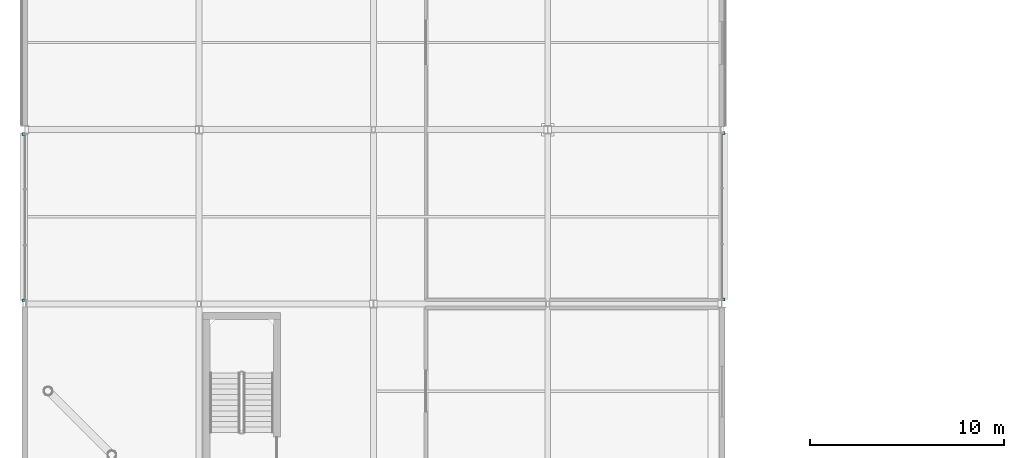
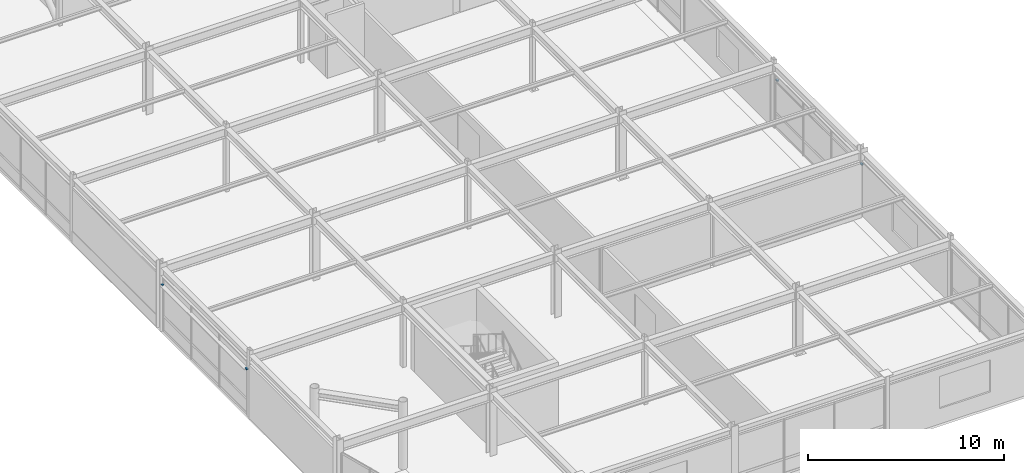
# One storey, part 81 of 105: 4 discrete accessories.
"""IFC4 building model written with IfcOpenShell, lengths in metres."""

from ifc_helpers import new_model, si_unit, direction, frame, origin, origin_2d, place, context, subcontext, project, spatial, rectangle, extrude, material, type_object, element, save


model = new_model("IFC4")

# Units and contexts
model_context = context("Model", 3, precision=1e-05, world=origin(), true_north=direction((0.0, 1.0)))
body_context = subcontext(model_context, "Body", "Model", "MODEL_VIEW")
ifc_project = project(units=[si_unit("LENGTHUNIT", "METRE"), si_unit("AREAUNIT", "SQUARE_METRE"), si_unit("VOLUMEUNIT", "CUBIC_METRE"), si_unit("PLANEANGLEUNIT", "RADIAN"), si_unit("MASSUNIT", "GRAM", prefix="KILO")], contexts=[model_context])

# Site, building, storey
site_placement = place(None, origin())
site = spatial("IfcSite", under=ifc_project, at=site_placement, CompositionType="ELEMENT")
building_placement = place(site_placement, origin())
building = spatial("IfcBuilding", under=site, at=building_placement, Name="Suzunagisa Mobility Hub", CompositionType="ELEMENT")
storey_placement = place(building_placement, frame((0.0, 0.0, 5.10009765625)))
storey = spatial("IfcBuildingStorey", under=building, at=storey_placement, Name="L01", CompositionType="ELEMENT", Elevation=5.10009765625)

# Discrete accessories
ifc_material = material(Name="Stainless Steel SUS316", Category="metal")
discrete_accessory_type = type_object("IfcDiscreteAccessoryType", Name="Stainless Sunshade Outrigger Bracket BRK-01", PredefinedType="BRACKET", material=ifc_material)
for number, where, z_axis, x_axis, name in (
    (1, (36.0849609375, 18.22998046875, 2.8818359375), (0.0, 0.0, 1.0), (0.0, 1.0, 0.0), "Sunshade Outrigger Bracket BRK-3.1"),
    (2, (36.0849609375, 26.820068359375, 2.8818359375), (0.0, 0.0, 1.0), (0.0, 1.0, 0.0), "Sunshade Outrigger Bracket BRK-3.2"),
    (3, (-0.0849609375, 26.77001953125, 2.86181640625), (0.0, 0.0, 1.0), (0.0, -1.0, 0.0), "Sunshade Outrigger Bracket BRK-5.1"),
    (4, (-0.0849609375, 18.179931640625, 2.86181640625), (0.0, 0.0, 1.0), (0.0, -1.0, 0.0), "Sunshade Outrigger Bracket BRK-5.2"),
):
    element("IfcDiscreteAccessory", number, at=place(storey_placement, frame(where, z_axis=z_axis, x_axis=x_axis)), inside=storey, type_object=discrete_accessory_type, Name=name, PredefinedType="BRACKET", context=body_context, shape_type="SweptSolid", body=[
        extrude(rectangle(XDim=0.159912109375, YDim=0.1201171875, at=origin_2d()), origin(), (0.0, 0.0, 1.0), 0.080078125),
    ])

save(model, "model.ifc")
